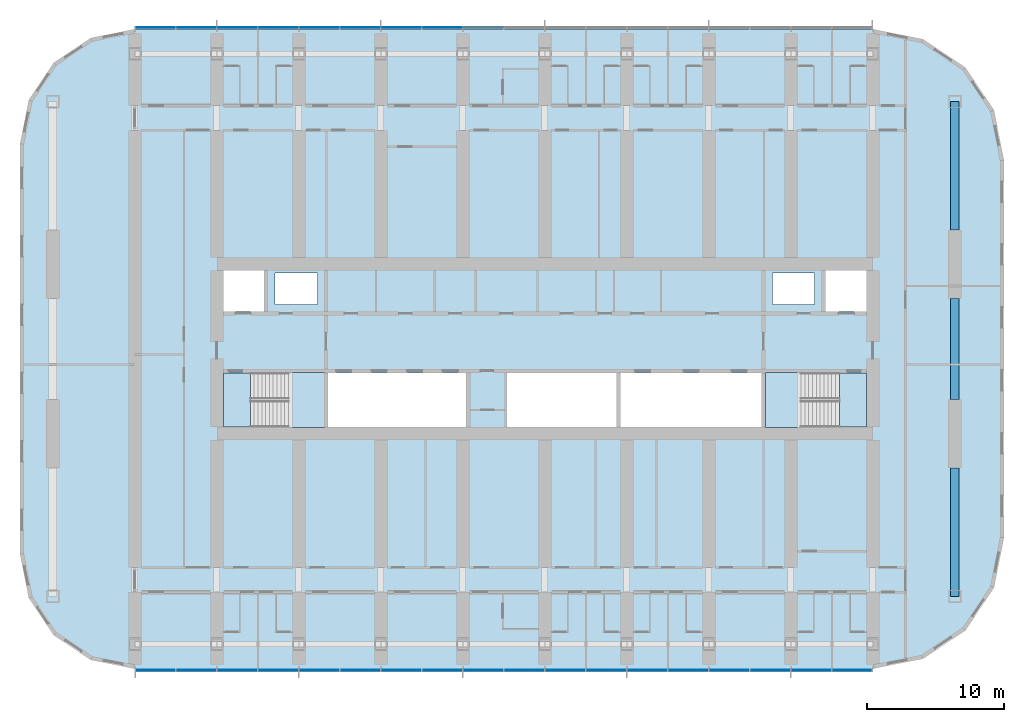
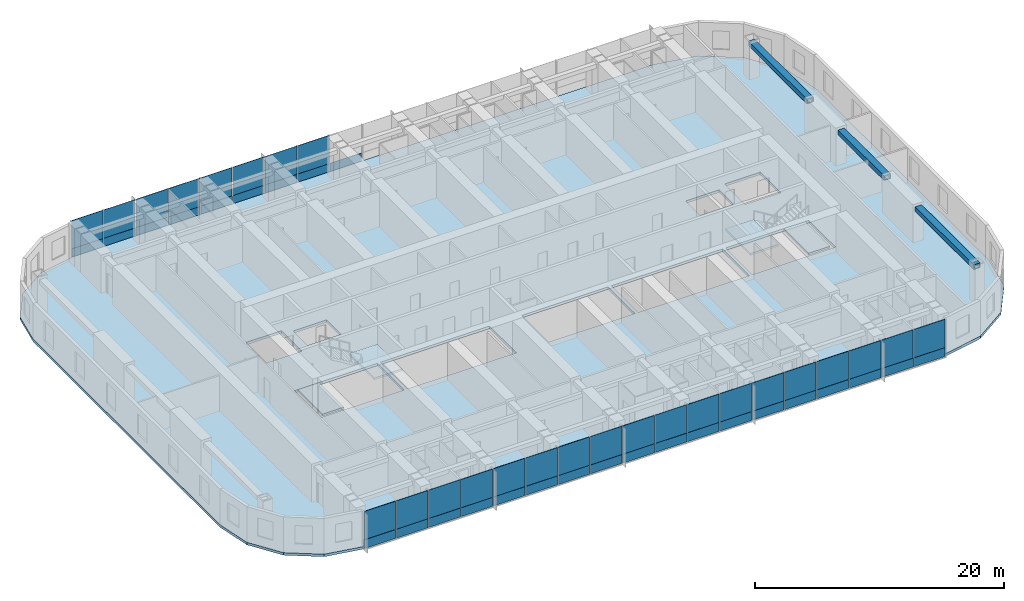
# One storey, part 6 of 21: 53 plates, 5 slabs, 3 beams, 4 elements without a shape of their own.
"""IFC4 building model written with IfcOpenShell, lengths in metres."""

from ifc_helpers import new_model, si_unit, direction, frame, origin, origin_2d, place, context, subcontext, project, spatial, polyline, rectangle, hollow_rectangle, outline, extrude, material, layer, layer_set, material_profile, profile_set, type_object, element, aggregate, save


model = new_model("IFC4")

# Units and contexts
model_context = context("Model", 3, precision=1e-05, world=origin(), true_north=direction((0.0, 1.0)))
body_context = subcontext(model_context, "Body", "Model", "MODEL_VIEW")
ifc_project = project(units=[si_unit("LENGTHUNIT", "METRE"), si_unit("AREAUNIT", "SQUARE_METRE"), si_unit("VOLUMEUNIT", "CUBIC_METRE"), si_unit("PLANEANGLEUNIT", "RADIAN"), si_unit("MASSUNIT", "GRAM", prefix="KILO")], contexts=[model_context])

# Site, building, storey
site_placement = place(None, origin())
site = spatial("IfcSite", under=ifc_project, at=site_placement, CompositionType="ELEMENT")
building_placement = place(site_placement, origin())
building = spatial("IfcBuilding", under=site, at=building_placement, Name="Orbita Commons", CompositionType="ELEMENT")
storey_placement = place(building_placement, frame((0.0, 0.0, 106.89990234375)))
storey = spatial("IfcBuildingStorey", under=building, at=storey_placement, Name="L26", CompositionType="ELEMENT", Elevation=106.89990234375)

# Beams
ifc_material_1 = material(Name="Steel ASTM A572 Gr 50 welded plate", Category="steel")
ifc_material_profile = material_profile(ifc_material_1, hollow_rectangle(XDim=0.60009765625, YDim=0.449951171875, WallThickness=0.06005859375, at=origin_2d()), Name="BOX 450x600x60")
ifc_profile_set = profile_set([ifc_material_profile], Name="Steel ASTM A572 Gr 50 welded plate")
beam_type = type_object("IfcBeamType", Name="Steel end frame link BOX 450x600x60", PredefinedType="BEAM", material=ifc_profile_set)
beam_1_placement = place(storey_placement, frame((72.0, 13.89990234375, 3.275146484375), z_axis=(0.0, 1.0, 0.0), x_axis=(-1.0, 0.0, 0.0)))
element("IfcBeam", 1, at=beam_1_placement, inside=storey, type_object=beam_type, Name="End frame beam 13 B-C L26", PredefinedType="BEAM", context=body_context, shape_type="SweptSolid", body=[
    extrude(hollow_rectangle(XDim=0.60009765625, YDim=0.449951171875, WallThickness=0.06005859375, at=origin_2d()), origin(), (0.0, 0.0, 1.0), 9.400146484375),
])
beam_2_placement = place(storey_placement, frame((72.0, 28.300048828125, 3.275146484375), z_axis=(0.0, 1.0, 0.0), x_axis=(-1.0, 0.0, 0.0)))
element("IfcBeam", 2, at=beam_2_placement, inside=storey, type_object=beam_type, Name="End frame beam 13 C-D L26", PredefinedType="BEAM", context=body_context, shape_type="SweptSolid", body=[
    extrude(hollow_rectangle(XDim=0.60009765625, YDim=0.449951171875, WallThickness=0.06005859375, at=origin_2d()), origin(), (0.0, 0.0, 1.0), 7.39990234375),
])
beam_3_placement = place(storey_placement, frame((72.0, 40.699951171875, 3.275146484375), z_axis=(0.0, 1.0, 0.0), x_axis=(-1.0, 0.0, 0.0)))
element("IfcBeam", 3, at=beam_3_placement, inside=storey, type_object=beam_type, Name="End frame beam 13 D-E L26", PredefinedType="BEAM", context=body_context, shape_type="SweptSolid", body=[
    extrude(hollow_rectangle(XDim=0.60009765625, YDim=0.449951171875, WallThickness=0.06005859375, at=origin_2d()), origin(), (0.0, 0.0, 1.0), 9.400146484375),
])

# Slab
ifc_material_2 = material(Name="Concrete C40/50", Category="concrete")
ifc_layer_1 = layer(ifc_material_2, 0.25)
ifc_layer_set_1 = layer_set([ifc_layer_1], Name="Concrete C40/50")
slab_type_1 = type_object("IfcSlabType", Name="Floor slab 250", PredefinedType="FLOOR", material=ifc_layer_set_1)
slab_1_placement = place(storey_placement, frame((0.0, 0.0, -0.25)))
element("IfcSlab", 4, at=slab_1_placement, inside=storey, type_object=slab_type_1, Name="Floor slab L26", PredefinedType="FLOOR", context=body_context, shape_type="SweptSolid", body=[
    extrude(outline(polyline([(66.0, 8.60009765625), (69.673828125, 9.330810546875), (72.788330078125, 11.411865234375), (74.869140625, 14.526123046875), (75.60009765625, 18.199951171875), (75.60009765625, 45.800048828125), (74.869140625, 49.473876953125), (72.788330078125, 52.588134765625), (69.673828125, 54.669189453125), (66.0, 55.39990234375), (12.0, 55.39990234375), (8.785400390625, 54.760498046875), (6.060302734375, 52.939697265625), (4.239501953125, 50.214599609375), (3.60009765625, 47.0), (3.60009765625, 17.0), (4.239501953125, 13.785400390625), (6.060302734375, 11.060302734375), (8.785400390625, 9.239501953125), (12.0, 8.60009765625), (66.0, 8.60009765625)]), holes=[polyline([(18.14990234375, 25.949951171875), (25.85009765625, 25.949951171875), (25.85009765625, 30.25), (18.14990234375, 30.25), (18.14990234375, 25.949951171875)]), polyline([(58.14990234375, 25.949951171875), (65.85009765625, 25.949951171875), (65.85009765625, 30.25), (58.14990234375, 30.25), (58.14990234375, 25.949951171875)]), polyline([(18.14990234375, 34.75), (21.449951171875, 34.75), (21.449951171875, 38.050048828125), (18.14990234375, 38.050048828125), (18.14990234375, 34.75)]), polyline([(62.550048828125, 34.75), (65.85009765625, 34.75), (65.85009765625, 38.050048828125), (62.550048828125, 38.050048828125), (62.550048828125, 34.75)]), polyline([(22.25, 35.25), (25.35009765625, 35.25), (25.35009765625, 37.550048828125), (22.25, 37.550048828125), (22.25, 35.25)]), polyline([(58.64990234375, 35.25), (61.75, 35.25), (61.75, 37.550048828125), (58.64990234375, 37.550048828125), (58.64990234375, 35.25)]), polyline([(26.14990234375, 25.949951171875), (36.25, 25.949951171875), (36.25, 30.25), (26.14990234375, 30.25), (26.14990234375, 25.949951171875)]), polyline([(39.25, 25.949951171875), (47.25, 25.949951171875), (47.25, 30.25), (39.25, 30.25), (39.25, 25.949951171875)]), polyline([(47.550048828125, 25.949951171875), (57.85009765625, 25.949951171875), (57.85009765625, 30.25), (47.550048828125, 30.25), (47.550048828125, 25.949951171875)])]), origin(), (0.0, 0.0, 1.0), 0.25),
])

# Curtain wall, plates
ifc_material_3 = material(Name="Anodised aluminium frame, pale silver", Category="aluminium")
curtain_wall_type = type_object("IfcCurtainWallType", Name="Unitised curtain wall CW-T, vision and spandrel", PredefinedType="NOTDEFINED", material=ifc_material_3)
curtain_wall_1_placement = place(storey_placement, origin())
curtain_wall_1 = element("IfcCurtainWall", 5, at=curtain_wall_1_placement, inside=storey, type_object=curtain_wall_type, Name="Curtain wall south L26", PredefinedType="NOTDEFINED")
ifc_material_4 = material(Name="Anodised aluminium sheet on mineral wool", Category="aluminium")
ifc_layer_2 = layer(ifc_material_4, 0.050048828125)
ifc_layer_set_2 = layer_set([ifc_layer_2], Name="Anodised aluminium sheet on mineral wool")
plate_type_1 = type_object("IfcPlateType", Name="Spandrel panel, pale aluminium over insulation 50", PredefinedType="CURTAIN_PANEL", material=ifc_layer_set_2)
plate_1_placement = place(storey_placement, frame((13.52001953125, 8.489990234375, -0.14990234375), z_axis=(0.0, 0.0, 1.0), x_axis=(1.0, 0.0, 0.0)))
plate_1 = element("IfcPlate", 6, at=plate_1_placement, type_object=plate_type_1, Name="Panel 1.1 CW-L26-S", PredefinedType="CURTAIN_PANEL", context=body_context, shape_type="SweptSolid", body=[
    extrude(rectangle(XDim=2.8798828125, YDim=0.050048828125, at=origin_2d()), origin(), (0.0, 0.0, 1.0), 0.875),
])
plate_2_placement = place(storey_placement, frame((16.5, 8.489990234375, -0.14990234375), z_axis=(0.0, 0.0, 1.0), x_axis=(1.0, 0.0, 0.0)))
plate_2 = element("IfcPlate", 7, at=plate_2_placement, type_object=plate_type_1, Name="Panel 2.1 CW-L26-S", PredefinedType="CURTAIN_PANEL", context=body_context, shape_type="SweptSolid", body=[
    extrude(rectangle(XDim=2.919921875, YDim=0.050048828125, at=origin_2d()), origin(), (0.0, 0.0, 1.0), 0.875),
])
plate_3_placement = place(storey_placement, frame((19.5, 8.489990234375, -0.14990234375), z_axis=(0.0, 0.0, 1.0), x_axis=(1.0, 0.0, 0.0)))
plate_3 = element("IfcPlate", 8, at=plate_3_placement, type_object=plate_type_1, Name="Panel 3.1 CW-L26-S", PredefinedType="CURTAIN_PANEL", context=body_context, shape_type="SweptSolid", body=[
    extrude(rectangle(XDim=2.919921875, YDim=0.050048828125, at=origin_2d()), origin(), (0.0, 0.0, 1.0), 0.875),
])
plate_4_placement = place(storey_placement, frame((22.5, 8.489990234375, -0.14990234375), z_axis=(0.0, 0.0, 1.0), x_axis=(1.0, 0.0, 0.0)))
plate_4 = element("IfcPlate", 9, at=plate_4_placement, type_object=plate_type_1, Name="Panel 4.1 CW-L26-S", PredefinedType="CURTAIN_PANEL", context=body_context, shape_type="SweptSolid", body=[
    extrude(rectangle(XDim=2.919921875, YDim=0.050048828125, at=origin_2d()), origin(), (0.0, 0.0, 1.0), 0.875),
])
plate_5_placement = place(storey_placement, frame((25.5, 8.489990234375, -0.14990234375), z_axis=(0.0, 0.0, 1.0), x_axis=(1.0, 0.0, 0.0)))
plate_5 = element("IfcPlate", 10, at=plate_5_placement, type_object=plate_type_1, Name="Panel 5.1 CW-L26-S", PredefinedType="CURTAIN_PANEL", context=body_context, shape_type="SweptSolid", body=[
    extrude(rectangle(XDim=2.919921875, YDim=0.050048828125, at=origin_2d()), origin(), (0.0, 0.0, 1.0), 0.875),
])
plate_6_placement = place(storey_placement, frame((28.5, 8.489990234375, -0.14990234375), z_axis=(0.0, 0.0, 1.0), x_axis=(1.0, 0.0, 0.0)))
plate_6 = element("IfcPlate", 11, at=plate_6_placement, type_object=plate_type_1, Name="Panel 6.1 CW-L26-S", PredefinedType="CURTAIN_PANEL", context=body_context, shape_type="SweptSolid", body=[
    extrude(rectangle(XDim=2.919921875, YDim=0.050048828125, at=origin_2d()), origin(), (0.0, 0.0, 1.0), 0.875),
])
plate_7_placement = place(storey_placement, frame((31.5, 8.489990234375, -0.14990234375), z_axis=(0.0, 0.0, 1.0), x_axis=(1.0, 0.0, 0.0)))
plate_7 = element("IfcPlate", 12, at=plate_7_placement, type_object=plate_type_1, Name="Panel 7.1 CW-L26-S", PredefinedType="CURTAIN_PANEL", context=body_context, shape_type="SweptSolid", body=[
    extrude(rectangle(XDim=2.919921875, YDim=0.050048828125, at=origin_2d()), origin(), (0.0, 0.0, 1.0), 0.875),
])
plate_8_placement = place(storey_placement, frame((34.5, 8.489990234375, -0.14990234375), z_axis=(0.0, 0.0, 1.0), x_axis=(1.0, 0.0, 0.0)))
plate_8 = element("IfcPlate", 13, at=plate_8_placement, type_object=plate_type_1, Name="Panel 8.1 CW-L26-S", PredefinedType="CURTAIN_PANEL", context=body_context, shape_type="SweptSolid", body=[
    extrude(rectangle(XDim=2.919921875, YDim=0.050048828125, at=origin_2d()), origin(), (0.0, 0.0, 1.0), 0.875),
])
plate_9_placement = place(storey_placement, frame((37.5, 8.489990234375, -0.14990234375), z_axis=(0.0, 0.0, 1.0), x_axis=(1.0, 0.0, 0.0)))
plate_9 = element("IfcPlate", 14, at=plate_9_placement, type_object=plate_type_1, Name="Panel 9.1 CW-L26-S", PredefinedType="CURTAIN_PANEL", context=body_context, shape_type="SweptSolid", body=[
    extrude(rectangle(XDim=2.919921875, YDim=0.050048828125, at=origin_2d()), origin(), (0.0, 0.0, 1.0), 0.875),
])
plate_10_placement = place(storey_placement, frame((40.5, 8.489990234375, -0.14990234375), z_axis=(0.0, 0.0, 1.0), x_axis=(1.0, 0.0, 0.0)))
plate_10 = element("IfcPlate", 15, at=plate_10_placement, type_object=plate_type_1, Name="Panel 10.1 CW-L26-S", PredefinedType="CURTAIN_PANEL", context=body_context, shape_type="SweptSolid", body=[
    extrude(rectangle(XDim=2.919921875, YDim=0.050048828125, at=origin_2d()), origin(), (0.0, 0.0, 1.0), 0.875),
])
plate_11_placement = place(storey_placement, frame((43.5, 8.489990234375, -0.14990234375), z_axis=(0.0, 0.0, 1.0), x_axis=(1.0, 0.0, 0.0)))
plate_11 = element("IfcPlate", 16, at=plate_11_placement, type_object=plate_type_1, Name="Panel 11.1 CW-L26-S", PredefinedType="CURTAIN_PANEL", context=body_context, shape_type="SweptSolid", body=[
    extrude(rectangle(XDim=2.919921875, YDim=0.050048828125, at=origin_2d()), origin(), (0.0, 0.0, 1.0), 0.875),
])
plate_12_placement = place(storey_placement, frame((46.5, 8.489990234375, -0.14990234375), z_axis=(0.0, 0.0, 1.0), x_axis=(1.0, 0.0, 0.0)))
plate_12 = element("IfcPlate", 17, at=plate_12_placement, type_object=plate_type_1, Name="Panel 12.1 CW-L26-S", PredefinedType="CURTAIN_PANEL", context=body_context, shape_type="SweptSolid", body=[
    extrude(rectangle(XDim=2.919921875, YDim=0.050048828125, at=origin_2d()), origin(), (0.0, 0.0, 1.0), 0.875),
])
plate_13_placement = place(storey_placement, frame((49.5, 8.489990234375, -0.14990234375), z_axis=(0.0, 0.0, 1.0), x_axis=(1.0, 0.0, 0.0)))
plate_13 = element("IfcPlate", 18, at=plate_13_placement, type_object=plate_type_1, Name="Panel 13.1 CW-L26-S", PredefinedType="CURTAIN_PANEL", context=body_context, shape_type="SweptSolid", body=[
    extrude(rectangle(XDim=2.919921875, YDim=0.050048828125, at=origin_2d()), origin(), (0.0, 0.0, 1.0), 0.875),
])
plate_14_placement = place(storey_placement, frame((52.5, 8.489990234375, -0.14990234375), z_axis=(0.0, 0.0, 1.0), x_axis=(1.0, 0.0, 0.0)))
plate_14 = element("IfcPlate", 19, at=plate_14_placement, type_object=plate_type_1, Name="Panel 14.1 CW-L26-S", PredefinedType="CURTAIN_PANEL", context=body_context, shape_type="SweptSolid", body=[
    extrude(rectangle(XDim=2.919921875, YDim=0.050048828125, at=origin_2d()), origin(), (0.0, 0.0, 1.0), 0.875),
])
plate_15_placement = place(storey_placement, frame((55.5, 8.489990234375, -0.14990234375), z_axis=(0.0, 0.0, 1.0), x_axis=(1.0, 0.0, 0.0)))
plate_15 = element("IfcPlate", 20, at=plate_15_placement, type_object=plate_type_1, Name="Panel 15.1 CW-L26-S", PredefinedType="CURTAIN_PANEL", context=body_context, shape_type="SweptSolid", body=[
    extrude(rectangle(XDim=2.919921875, YDim=0.050048828125, at=origin_2d()), origin(), (0.0, 0.0, 1.0), 0.875),
])
plate_16_placement = place(storey_placement, frame((58.5, 8.489990234375, -0.14990234375), z_axis=(0.0, 0.0, 1.0), x_axis=(1.0, 0.0, 0.0)))
plate_16 = element("IfcPlate", 21, at=plate_16_placement, type_object=plate_type_1, Name="Panel 16.1 CW-L26-S", PredefinedType="CURTAIN_PANEL", context=body_context, shape_type="SweptSolid", body=[
    extrude(rectangle(XDim=2.919921875, YDim=0.050048828125, at=origin_2d()), origin(), (0.0, 0.0, 1.0), 0.875),
])
plate_17_placement = place(storey_placement, frame((61.5, 8.489990234375, -0.14990234375), z_axis=(0.0, 0.0, 1.0), x_axis=(1.0, 0.0, 0.0)))
plate_17 = element("IfcPlate", 22, at=plate_17_placement, type_object=plate_type_1, Name="Panel 17.1 CW-L26-S", PredefinedType="CURTAIN_PANEL", context=body_context, shape_type="SweptSolid", body=[
    extrude(rectangle(XDim=2.919921875, YDim=0.050048828125, at=origin_2d()), origin(), (0.0, 0.0, 1.0), 0.875),
])
plate_18_placement = place(storey_placement, frame((64.47998046875, 8.489990234375, -0.14990234375), z_axis=(0.0, 0.0, 1.0), x_axis=(1.0, 0.0, 0.0)))
plate_18 = element("IfcPlate", 23, at=plate_18_placement, type_object=plate_type_1, Name="Panel 18.1 CW-L26-S", PredefinedType="CURTAIN_PANEL", context=body_context, shape_type="SweptSolid", body=[
    extrude(rectangle(XDim=2.8798828125, YDim=0.050048828125, at=origin_2d()), origin(), (0.0, 0.0, 1.0), 0.875),
])

curtain_wall_2_placement = place(storey_placement, origin())
curtain_wall_2 = element("IfcCurtainWall", 24, at=curtain_wall_2_placement, inside=storey, type_object=curtain_wall_type, Name="Curtain wall north L26", PredefinedType="NOTDEFINED")
plate_19_placement = place(storey_placement, frame((37.5, 55.510009765625, -0.14990234375), z_axis=(0.0, 0.0, 1.0), x_axis=(-1.0, 0.0, 0.0)))
plate_19 = element("IfcPlate", 25, at=plate_19_placement, type_object=plate_type_1, Name="Panel 10.1 CW-L26-N", PredefinedType="CURTAIN_PANEL", context=body_context, shape_type="SweptSolid", body=[
    extrude(rectangle(XDim=2.919921875, YDim=0.050048828125, at=origin_2d()), origin(), (0.0, 0.0, 1.0), 0.875),
])
plate_20_placement = place(storey_placement, frame((34.5, 55.510009765625, -0.14990234375), z_axis=(0.0, 0.0, 1.0), x_axis=(-1.0, 0.0, 0.0)))
plate_20 = element("IfcPlate", 26, at=plate_20_placement, type_object=plate_type_1, Name="Panel 11.1 CW-L26-N", PredefinedType="CURTAIN_PANEL", context=body_context, shape_type="SweptSolid", body=[
    extrude(rectangle(XDim=2.919921875, YDim=0.050048828125, at=origin_2d()), origin(), (0.0, 0.0, 1.0), 0.875),
])
plate_21_placement = place(storey_placement, frame((31.5, 55.510009765625, -0.14990234375), z_axis=(0.0, 0.0, 1.0), x_axis=(-1.0, 0.0, 0.0)))
plate_21 = element("IfcPlate", 27, at=plate_21_placement, type_object=plate_type_1, Name="Panel 12.1 CW-L26-N", PredefinedType="CURTAIN_PANEL", context=body_context, shape_type="SweptSolid", body=[
    extrude(rectangle(XDim=2.919921875, YDim=0.050048828125, at=origin_2d()), origin(), (0.0, 0.0, 1.0), 0.875),
])
plate_22_placement = place(storey_placement, frame((28.5, 55.510009765625, -0.14990234375), z_axis=(0.0, 0.0, 1.0), x_axis=(-1.0, 0.0, 0.0)))
plate_22 = element("IfcPlate", 28, at=plate_22_placement, type_object=plate_type_1, Name="Panel 13.1 CW-L26-N", PredefinedType="CURTAIN_PANEL", context=body_context, shape_type="SweptSolid", body=[
    extrude(rectangle(XDim=2.919921875, YDim=0.050048828125, at=origin_2d()), origin(), (0.0, 0.0, 1.0), 0.875),
])
plate_23_placement = place(storey_placement, frame((25.5, 55.510009765625, -0.14990234375), z_axis=(0.0, 0.0, 1.0), x_axis=(-1.0, 0.0, 0.0)))
plate_23 = element("IfcPlate", 29, at=plate_23_placement, type_object=plate_type_1, Name="Panel 14.1 CW-L26-N", PredefinedType="CURTAIN_PANEL", context=body_context, shape_type="SweptSolid", body=[
    extrude(rectangle(XDim=2.919921875, YDim=0.050048828125, at=origin_2d()), origin(), (0.0, 0.0, 1.0), 0.875),
])
plate_24_placement = place(storey_placement, frame((22.5, 55.510009765625, -0.14990234375), z_axis=(0.0, 0.0, 1.0), x_axis=(-1.0, 0.0, 0.0)))
plate_24 = element("IfcPlate", 30, at=plate_24_placement, type_object=plate_type_1, Name="Panel 15.1 CW-L26-N", PredefinedType="CURTAIN_PANEL", context=body_context, shape_type="SweptSolid", body=[
    extrude(rectangle(XDim=2.919921875, YDim=0.050048828125, at=origin_2d()), origin(), (0.0, 0.0, 1.0), 0.875),
])
plate_25_placement = place(storey_placement, frame((19.5, 55.510009765625, -0.14990234375), z_axis=(0.0, 0.0, 1.0), x_axis=(-1.0, 0.0, 0.0)))
plate_25 = element("IfcPlate", 31, at=plate_25_placement, type_object=plate_type_1, Name="Panel 16.1 CW-L26-N", PredefinedType="CURTAIN_PANEL", context=body_context, shape_type="SweptSolid", body=[
    extrude(rectangle(XDim=2.919921875, YDim=0.050048828125, at=origin_2d()), origin(), (0.0, 0.0, 1.0), 0.875),
])
plate_26_placement = place(storey_placement, frame((16.5, 55.510009765625, -0.14990234375), z_axis=(0.0, 0.0, 1.0), x_axis=(-1.0, 0.0, 0.0)))
plate_26 = element("IfcPlate", 32, at=plate_26_placement, type_object=plate_type_1, Name="Panel 17.1 CW-L26-N", PredefinedType="CURTAIN_PANEL", context=body_context, shape_type="SweptSolid", body=[
    extrude(rectangle(XDim=2.919921875, YDim=0.050048828125, at=origin_2d()), origin(), (0.0, 0.0, 1.0), 0.875),
])
plate_27_placement = place(storey_placement, frame((13.52001953125, 55.510009765625, -0.14990234375), z_axis=(0.0, 0.0, 1.0), x_axis=(-1.0, 0.0, 0.0)))
plate_27 = element("IfcPlate", 33, at=plate_27_placement, type_object=plate_type_1, Name="Panel 18.1 CW-L26-N", PredefinedType="CURTAIN_PANEL", context=body_context, shape_type="SweptSolid", body=[
    extrude(rectangle(XDim=2.8798828125, YDim=0.050048828125, at=origin_2d()), origin(), (0.0, 0.0, 1.0), 0.875),
])

# Stair, slabs
ifc_material_5 = material(Name="Precast concrete C40/50", Category="concrete")
stair_type_1 = type_object("IfcStairType", Name="Exit stair S1 2 flights 11 risers 170", PredefinedType="HALF_TURN_STAIR", material=ifc_material_5)
stair_1_placement = place(storey_placement, origin())
stair_1 = element("IfcStair", 34, at=stair_1_placement, inside=storey, type_object=stair_type_1, Name="Exit stair S1 L26", PredefinedType="HALF_TURN_STAIR")
ifc_material_6 = material(Name="Concrete C40/50", Category="concrete")
ifc_layer_3 = layer(ifc_material_6, 0.199951171875)
ifc_layer_set_3 = layer_set([ifc_layer_3], Name="Concrete C40/50")
slab_type_2 = type_object("IfcSlabType", Name="Stair landing 200", PredefinedType="LANDING", material=ifc_layer_set_3)
slab_2_placement = place(storey_placement, frame((0.0, 0.0, -0.199951171875)))
slab_2 = element("IfcSlab", 35, at=slab_2_placement, type_object=slab_type_2, Name="S1 landing 1", PredefinedType="LANDING", context=body_context, shape_type="SweptSolid", body=[
    extrude(outline(polyline([(18.47509765625, 26.27490234375), (20.449951171875, 26.27490234375), (20.449951171875, 30.25), (18.47509765625, 30.25), (18.47509765625, 26.27490234375)])), origin(), (0.0, 0.0, 1.0), 0.199951171875),
])
slab_3_placement = place(storey_placement, frame((0.0, 0.0, 1.675048828125)))
slab_3 = element("IfcSlab", 36, at=slab_3_placement, type_object=slab_type_2, Name="S1 landing 2", PredefinedType="LANDING", context=body_context, shape_type="SweptSolid", body=[
    extrude(outline(polyline([(23.25, 26.260009765625), (25.864990234375, 26.260009765625), (25.864990234375, 30.264892578125), (23.25, 30.264892578125), (23.25, 26.260009765625)])), origin(), (0.0, 0.0, 1.0), 0.199951171875),
])
aggregate(stair_1, [slab_2, slab_3])

ifc_material_7 = material(Name="Precast concrete C40/50", Category="concrete")
stair_type_2 = type_object("IfcStairType", Name="Exit stair S2 2 flights 11 risers 170", PredefinedType="HALF_TURN_STAIR", material=ifc_material_7)
stair_2_placement = place(storey_placement, origin())
stair_2 = element("IfcStair", 37, at=stair_2_placement, inside=storey, type_object=stair_type_2, Name="Exit stair S2 L26", PredefinedType="HALF_TURN_STAIR")
slab_4_placement = place(storey_placement, frame((0.0, 0.0, -0.199951171875)))
slab_4 = element("IfcSlab", 38, at=slab_4_placement, type_object=slab_type_2, Name="S2 landing 1", PredefinedType="LANDING", context=body_context, shape_type="SweptSolid", body=[
    extrude(outline(polyline([(63.550048828125, 26.27490234375), (65.52490234375, 26.27490234375), (65.52490234375, 30.25), (63.550048828125, 30.25), (63.550048828125, 26.27490234375)])), origin(), (0.0, 0.0, 1.0), 0.199951171875),
])
slab_5_placement = place(storey_placement, frame((0.0, 0.0, 1.675048828125)))
slab_5 = element("IfcSlab", 39, at=slab_5_placement, type_object=slab_type_2, Name="S2 landing 2", PredefinedType="LANDING", context=body_context, shape_type="SweptSolid", body=[
    extrude(outline(polyline([(58.135009765625, 26.260009765625), (60.75, 26.260009765625), (60.75, 30.264892578125), (58.135009765625, 30.264892578125), (58.135009765625, 26.260009765625)])), origin(), (0.0, 0.0, 1.0), 0.199951171875),
])
aggregate(stair_2, [slab_4, slab_5])

# Plate
ifc_material_8 = material(Name="Clear double glazing", Category="glass")
ifc_layer_4 = layer(ifc_material_8, 0.031982421875)
ifc_layer_set_4 = layer_set([ifc_layer_4], Name="Clear double glazing")
plate_type_2 = type_object("IfcPlateType", Name="Vision panel, clear double glazing 32", PredefinedType="CURTAIN_PANEL", material=ifc_layer_set_4)
plate_28_placement = place(storey_placement, frame((13.52001953125, 8.489990234375, 0.72509765625), z_axis=(0.0, 0.0, 1.0), x_axis=(1.0, 0.0, 0.0)))
plate_28 = element("IfcPlate", 40, at=plate_28_placement, type_object=plate_type_2, Name="Panel 1.2 CW-L26-S", PredefinedType="CURTAIN_PANEL", context=body_context, shape_type="SweptSolid", body=[
    extrude(rectangle(XDim=2.8798828125, YDim=0.031982421875, at=origin_2d()), origin(), (0.0, 0.0, 1.0), 2.77490234375),
])

plate_29_placement = place(storey_placement, frame((16.5, 8.489990234375, 0.72509765625), z_axis=(0.0, 0.0, 1.0), x_axis=(1.0, 0.0, 0.0)))
plate_29 = element("IfcPlate", 41, at=plate_29_placement, type_object=plate_type_2, Name="Panel 2.2 CW-L26-S", PredefinedType="CURTAIN_PANEL", context=body_context, shape_type="SweptSolid", body=[
    extrude(rectangle(XDim=2.919921875, YDim=0.031982421875, at=origin_2d()), origin(), (0.0, 0.0, 1.0), 2.77490234375),
])

plate_30_placement = place(storey_placement, frame((19.5, 8.489990234375, 0.72509765625), z_axis=(0.0, 0.0, 1.0), x_axis=(1.0, 0.0, 0.0)))
plate_30 = element("IfcPlate", 42, at=plate_30_placement, type_object=plate_type_2, Name="Panel 3.2 CW-L26-S", PredefinedType="CURTAIN_PANEL", context=body_context, shape_type="SweptSolid", body=[
    extrude(rectangle(XDim=2.919921875, YDim=0.031982421875, at=origin_2d()), origin(), (0.0, 0.0, 1.0), 2.77490234375),
])

plate_31_placement = place(storey_placement, frame((22.5, 8.489990234375, 0.72509765625), z_axis=(0.0, 0.0, 1.0), x_axis=(1.0, 0.0, 0.0)))
plate_31 = element("IfcPlate", 43, at=plate_31_placement, type_object=plate_type_2, Name="Panel 4.2 CW-L26-S", PredefinedType="CURTAIN_PANEL", context=body_context, shape_type="SweptSolid", body=[
    extrude(rectangle(XDim=2.919921875, YDim=0.031982421875, at=origin_2d()), origin(), (0.0, 0.0, 1.0), 2.77490234375),
])

plate_32_placement = place(storey_placement, frame((25.5, 8.489990234375, 0.72509765625), z_axis=(0.0, 0.0, 1.0), x_axis=(1.0, 0.0, 0.0)))
plate_32 = element("IfcPlate", 44, at=plate_32_placement, type_object=plate_type_2, Name="Panel 5.2 CW-L26-S", PredefinedType="CURTAIN_PANEL", context=body_context, shape_type="SweptSolid", body=[
    extrude(rectangle(XDim=2.919921875, YDim=0.031982421875, at=origin_2d()), origin(), (0.0, 0.0, 1.0), 2.77490234375),
])

plate_33_placement = place(storey_placement, frame((28.5, 8.489990234375, 0.72509765625), z_axis=(0.0, 0.0, 1.0), x_axis=(1.0, 0.0, 0.0)))
plate_33 = element("IfcPlate", 45, at=plate_33_placement, type_object=plate_type_2, Name="Panel 6.2 CW-L26-S", PredefinedType="CURTAIN_PANEL", context=body_context, shape_type="SweptSolid", body=[
    extrude(rectangle(XDim=2.919921875, YDim=0.031982421875, at=origin_2d()), origin(), (0.0, 0.0, 1.0), 2.77490234375),
])

plate_34_placement = place(storey_placement, frame((31.5, 8.489990234375, 0.72509765625), z_axis=(0.0, 0.0, 1.0), x_axis=(1.0, 0.0, 0.0)))
plate_34 = element("IfcPlate", 46, at=plate_34_placement, type_object=plate_type_2, Name="Panel 7.2 CW-L26-S", PredefinedType="CURTAIN_PANEL", context=body_context, shape_type="SweptSolid", body=[
    extrude(rectangle(XDim=2.919921875, YDim=0.031982421875, at=origin_2d()), origin(), (0.0, 0.0, 1.0), 2.77490234375),
])

plate_35_placement = place(storey_placement, frame((34.5, 8.489990234375, 0.72509765625), z_axis=(0.0, 0.0, 1.0), x_axis=(1.0, 0.0, 0.0)))
plate_35 = element("IfcPlate", 47, at=plate_35_placement, type_object=plate_type_2, Name="Panel 8.2 CW-L26-S", PredefinedType="CURTAIN_PANEL", context=body_context, shape_type="SweptSolid", body=[
    extrude(rectangle(XDim=2.919921875, YDim=0.031982421875, at=origin_2d()), origin(), (0.0, 0.0, 1.0), 2.77490234375),
])

plate_36_placement = place(storey_placement, frame((37.5, 8.489990234375, 0.72509765625), z_axis=(0.0, 0.0, 1.0), x_axis=(1.0, 0.0, 0.0)))
plate_36 = element("IfcPlate", 48, at=plate_36_placement, type_object=plate_type_2, Name="Panel 9.2 CW-L26-S", PredefinedType="CURTAIN_PANEL", context=body_context, shape_type="SweptSolid", body=[
    extrude(rectangle(XDim=2.919921875, YDim=0.031982421875, at=origin_2d()), origin(), (0.0, 0.0, 1.0), 2.77490234375),
])

plate_37_placement = place(storey_placement, frame((40.5, 8.489990234375, 0.72509765625), z_axis=(0.0, 0.0, 1.0), x_axis=(1.0, 0.0, 0.0)))
plate_37 = element("IfcPlate", 49, at=plate_37_placement, type_object=plate_type_2, Name="Panel 10.2 CW-L26-S", PredefinedType="CURTAIN_PANEL", context=body_context, shape_type="SweptSolid", body=[
    extrude(rectangle(XDim=2.919921875, YDim=0.031982421875, at=origin_2d()), origin(), (0.0, 0.0, 1.0), 2.77490234375),
])

plate_38_placement = place(storey_placement, frame((43.5, 8.489990234375, 0.72509765625), z_axis=(0.0, 0.0, 1.0), x_axis=(1.0, 0.0, 0.0)))
plate_38 = element("IfcPlate", 50, at=plate_38_placement, type_object=plate_type_2, Name="Panel 11.2 CW-L26-S", PredefinedType="CURTAIN_PANEL", context=body_context, shape_type="SweptSolid", body=[
    extrude(rectangle(XDim=2.919921875, YDim=0.031982421875, at=origin_2d()), origin(), (0.0, 0.0, 1.0), 2.77490234375),
])

plate_39_placement = place(storey_placement, frame((46.5, 8.489990234375, 0.72509765625), z_axis=(0.0, 0.0, 1.0), x_axis=(1.0, 0.0, 0.0)))
plate_39 = element("IfcPlate", 51, at=plate_39_placement, type_object=plate_type_2, Name="Panel 12.2 CW-L26-S", PredefinedType="CURTAIN_PANEL", context=body_context, shape_type="SweptSolid", body=[
    extrude(rectangle(XDim=2.919921875, YDim=0.031982421875, at=origin_2d()), origin(), (0.0, 0.0, 1.0), 2.77490234375),
])

plate_40_placement = place(storey_placement, frame((49.5, 8.489990234375, 0.72509765625), z_axis=(0.0, 0.0, 1.0), x_axis=(1.0, 0.0, 0.0)))
plate_40 = element("IfcPlate", 52, at=plate_40_placement, type_object=plate_type_2, Name="Panel 13.2 CW-L26-S", PredefinedType="CURTAIN_PANEL", context=body_context, shape_type="SweptSolid", body=[
    extrude(rectangle(XDim=2.919921875, YDim=0.031982421875, at=origin_2d()), origin(), (0.0, 0.0, 1.0), 2.77490234375),
])

plate_41_placement = place(storey_placement, frame((52.5, 8.489990234375, 0.72509765625), z_axis=(0.0, 0.0, 1.0), x_axis=(1.0, 0.0, 0.0)))
plate_41 = element("IfcPlate", 53, at=plate_41_placement, type_object=plate_type_2, Name="Panel 14.2 CW-L26-S", PredefinedType="CURTAIN_PANEL", context=body_context, shape_type="SweptSolid", body=[
    extrude(rectangle(XDim=2.919921875, YDim=0.031982421875, at=origin_2d()), origin(), (0.0, 0.0, 1.0), 2.77490234375),
])

plate_42_placement = place(storey_placement, frame((55.5, 8.489990234375, 0.72509765625), z_axis=(0.0, 0.0, 1.0), x_axis=(1.0, 0.0, 0.0)))
plate_42 = element("IfcPlate", 54, at=plate_42_placement, type_object=plate_type_2, Name="Panel 15.2 CW-L26-S", PredefinedType="CURTAIN_PANEL", context=body_context, shape_type="SweptSolid", body=[
    extrude(rectangle(XDim=2.919921875, YDim=0.031982421875, at=origin_2d()), origin(), (0.0, 0.0, 1.0), 2.77490234375),
])

plate_43_placement = place(storey_placement, frame((58.5, 8.489990234375, 0.72509765625), z_axis=(0.0, 0.0, 1.0), x_axis=(1.0, 0.0, 0.0)))
plate_43 = element("IfcPlate", 55, at=plate_43_placement, type_object=plate_type_2, Name="Panel 16.2 CW-L26-S", PredefinedType="CURTAIN_PANEL", context=body_context, shape_type="SweptSolid", body=[
    extrude(rectangle(XDim=2.919921875, YDim=0.031982421875, at=origin_2d()), origin(), (0.0, 0.0, 1.0), 2.77490234375),
])

plate_44_placement = place(storey_placement, frame((61.5, 8.489990234375, 0.72509765625), z_axis=(0.0, 0.0, 1.0), x_axis=(1.0, 0.0, 0.0)))
plate_44 = element("IfcPlate", 56, at=plate_44_placement, type_object=plate_type_2, Name="Panel 17.2 CW-L26-S", PredefinedType="CURTAIN_PANEL", context=body_context, shape_type="SweptSolid", body=[
    extrude(rectangle(XDim=2.919921875, YDim=0.031982421875, at=origin_2d()), origin(), (0.0, 0.0, 1.0), 2.77490234375),
])

plate_45_placement = place(storey_placement, frame((64.47998046875, 8.489990234375, 0.72509765625), z_axis=(0.0, 0.0, 1.0), x_axis=(1.0, 0.0, 0.0)))
plate_45 = element("IfcPlate", 57, at=plate_45_placement, type_object=plate_type_2, Name="Panel 18.2 CW-L26-S", PredefinedType="CURTAIN_PANEL", context=body_context, shape_type="SweptSolid", body=[
    extrude(rectangle(XDim=2.8798828125, YDim=0.031982421875, at=origin_2d()), origin(), (0.0, 0.0, 1.0), 2.77490234375),
])

aggregate(curtain_wall_1, [plate_1, plate_28, plate_2, plate_29, plate_3, plate_30, plate_4, plate_31, plate_5, plate_32, plate_6, plate_33, plate_7, plate_34, plate_8, plate_35, plate_9, plate_36, plate_10, plate_37, plate_11, plate_38, plate_12, plate_39, plate_13, plate_40, plate_14, plate_41, plate_15, plate_42, plate_16, plate_43, plate_17, plate_44, plate_18, plate_45])

plate_46_placement = place(storey_placement, frame((34.5, 55.510009765625, 0.72509765625), z_axis=(0.0, 0.0, 1.0), x_axis=(-1.0, 0.0, 0.0)))
plate_46 = element("IfcPlate", 58, at=plate_46_placement, type_object=plate_type_2, Name="Panel 11.2 CW-L26-N", PredefinedType="CURTAIN_PANEL", context=body_context, shape_type="SweptSolid", body=[
    extrude(rectangle(XDim=2.919921875, YDim=0.031982421875, at=origin_2d()), origin(), (0.0, 0.0, 1.0), 2.77490234375),
])

plate_47_placement = place(storey_placement, frame((31.5, 55.510009765625, 0.72509765625), z_axis=(0.0, 0.0, 1.0), x_axis=(-1.0, 0.0, 0.0)))
plate_47 = element("IfcPlate", 59, at=plate_47_placement, type_object=plate_type_2, Name="Panel 12.2 CW-L26-N", PredefinedType="CURTAIN_PANEL", context=body_context, shape_type="SweptSolid", body=[
    extrude(rectangle(XDim=2.919921875, YDim=0.031982421875, at=origin_2d()), origin(), (0.0, 0.0, 1.0), 2.77490234375),
])

plate_48_placement = place(storey_placement, frame((28.5, 55.510009765625, 0.72509765625), z_axis=(0.0, 0.0, 1.0), x_axis=(-1.0, 0.0, 0.0)))
plate_48 = element("IfcPlate", 60, at=plate_48_placement, type_object=plate_type_2, Name="Panel 13.2 CW-L26-N", PredefinedType="CURTAIN_PANEL", context=body_context, shape_type="SweptSolid", body=[
    extrude(rectangle(XDim=2.919921875, YDim=0.031982421875, at=origin_2d()), origin(), (0.0, 0.0, 1.0), 2.77490234375),
])

plate_49_placement = place(storey_placement, frame((25.5, 55.510009765625, 0.72509765625), z_axis=(0.0, 0.0, 1.0), x_axis=(-1.0, 0.0, 0.0)))
plate_49 = element("IfcPlate", 61, at=plate_49_placement, type_object=plate_type_2, Name="Panel 14.2 CW-L26-N", PredefinedType="CURTAIN_PANEL", context=body_context, shape_type="SweptSolid", body=[
    extrude(rectangle(XDim=2.919921875, YDim=0.031982421875, at=origin_2d()), origin(), (0.0, 0.0, 1.0), 2.77490234375),
])

plate_50_placement = place(storey_placement, frame((22.5, 55.510009765625, 0.72509765625), z_axis=(0.0, 0.0, 1.0), x_axis=(-1.0, 0.0, 0.0)))
plate_50 = element("IfcPlate", 62, at=plate_50_placement, type_object=plate_type_2, Name="Panel 15.2 CW-L26-N", PredefinedType="CURTAIN_PANEL", context=body_context, shape_type="SweptSolid", body=[
    extrude(rectangle(XDim=2.919921875, YDim=0.031982421875, at=origin_2d()), origin(), (0.0, 0.0, 1.0), 2.77490234375),
])

plate_51_placement = place(storey_placement, frame((19.5, 55.510009765625, 0.72509765625), z_axis=(0.0, 0.0, 1.0), x_axis=(-1.0, 0.0, 0.0)))
plate_51 = element("IfcPlate", 63, at=plate_51_placement, type_object=plate_type_2, Name="Panel 16.2 CW-L26-N", PredefinedType="CURTAIN_PANEL", context=body_context, shape_type="SweptSolid", body=[
    extrude(rectangle(XDim=2.919921875, YDim=0.031982421875, at=origin_2d()), origin(), (0.0, 0.0, 1.0), 2.77490234375),
])

plate_52_placement = place(storey_placement, frame((16.5, 55.510009765625, 0.72509765625), z_axis=(0.0, 0.0, 1.0), x_axis=(-1.0, 0.0, 0.0)))
plate_52 = element("IfcPlate", 64, at=plate_52_placement, type_object=plate_type_2, Name="Panel 17.2 CW-L26-N", PredefinedType="CURTAIN_PANEL", context=body_context, shape_type="SweptSolid", body=[
    extrude(rectangle(XDim=2.919921875, YDim=0.031982421875, at=origin_2d()), origin(), (0.0, 0.0, 1.0), 2.77490234375),
])

plate_53_placement = place(storey_placement, frame((13.52001953125, 55.510009765625, 0.72509765625), z_axis=(0.0, 0.0, 1.0), x_axis=(-1.0, 0.0, 0.0)))
plate_53 = element("IfcPlate", 65, at=plate_53_placement, type_object=plate_type_2, Name="Panel 18.2 CW-L26-N", PredefinedType="CURTAIN_PANEL", context=body_context, shape_type="SweptSolid", body=[
    extrude(rectangle(XDim=2.8798828125, YDim=0.031982421875, at=origin_2d()), origin(), (0.0, 0.0, 1.0), 2.77490234375),
])

aggregate(curtain_wall_2, [plate_19, plate_20, plate_46, plate_21, plate_47, plate_22, plate_48, plate_23, plate_49, plate_24, plate_50, plate_25, plate_51, plate_26, plate_52, plate_27, plate_53])

save(model, "model.ifc")
